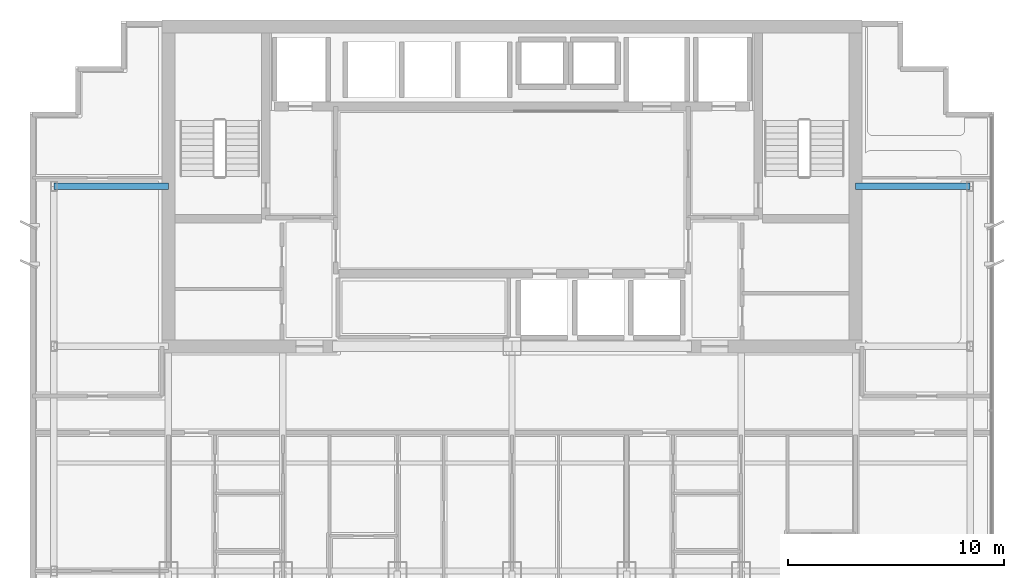
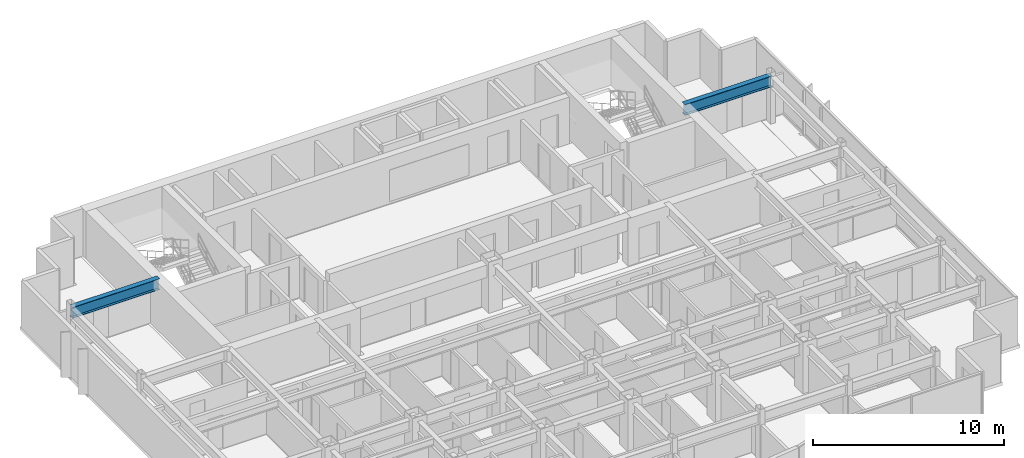
# One storey, part 5 of 13: 2 beams.
"""IFC4 building model written with IfcOpenShell, lengths in metres."""

from ifc_helpers import new_model, si_unit, direction, frame, origin, origin_2d, place, context, subcontext, project, spatial, i_section, extrude, material, material_profile, profile_set, type_object, element, save


model = new_model("IFC4")

# Units and contexts
model_context = context("Model", 3, precision=1e-05, world=origin(), true_north=direction((0.0, 1.0)))
body_context = subcontext(model_context, "Body", "Model", "MODEL_VIEW")
ifc_project = project(units=[si_unit("LENGTHUNIT", "METRE"), si_unit("AREAUNIT", "SQUARE_METRE"), si_unit("VOLUMEUNIT", "CUBIC_METRE"), si_unit("PLANEANGLEUNIT", "RADIAN"), si_unit("MASSUNIT", "GRAM", prefix="KILO")], contexts=[model_context])

# Site, building, storey
site_placement = place(None, origin())
site = spatial("IfcSite", under=ifc_project, at=site_placement, CompositionType="ELEMENT")
building_placement = place(site_placement, origin())
building = spatial("IfcBuilding", under=site, at=building_placement, Name="Qianlan Lanfeng Residences", CompositionType="ELEMENT")
storey_placement = place(building_placement, frame((0.0, 0.0, 182.10009765625)))
storey = spatial("IfcBuildingStorey", under=building, at=storey_placement, Name="L50", CompositionType="ELEMENT", Elevation=182.10009765625)

# Beams
ifc_material = material(Name="Steel SN490B", Category="steel")
ifc_material_profile = material_profile(ifc_material, i_section(OverallWidth=0.300048828125, OverallDepth=0.699951171875, WebThickness=0.012939453125, FlangeThickness=0.02392578125, at=origin_2d()), Name="H 700x300x13x24")
ifc_profile_set = profile_set([ifc_material_profile], Name="Steel SN490B")
beam_type = type_object("IfcBeamType", Name="G-750", PredefinedType="BEAM", material=ifc_profile_set)
for number, where, z_axis, x_axis, name in (
    (1, (5.300048828125, 32.60009765625, 2.679931640625), (1.0, 0.0, 0.0), (0.0, 1.0, 0.0), "Structural beam G-750"),
    (2, (42.39990234375, 32.60009765625, 2.679931640625), (1.0, 0.0, 0.0), (0.0, 1.0, 0.0), "Structural beam G-750"),
):
    element("IfcBeam", number, at=place(storey_placement, frame(where, z_axis=z_axis, x_axis=x_axis)), inside=storey, type_object=beam_type, Name=name, PredefinedType="BEAM", context=body_context, shape_type="SweptSolid", body=[
        extrude(i_section(OverallWidth=0.300048828125, OverallDepth=0.699951171875, WebThickness=0.012939453125, FlangeThickness=0.02392578125, at=origin_2d()), origin(), (0.0, 0.0, 1.0), 5.300048828125),
    ])

save(model, "model.ifc")
